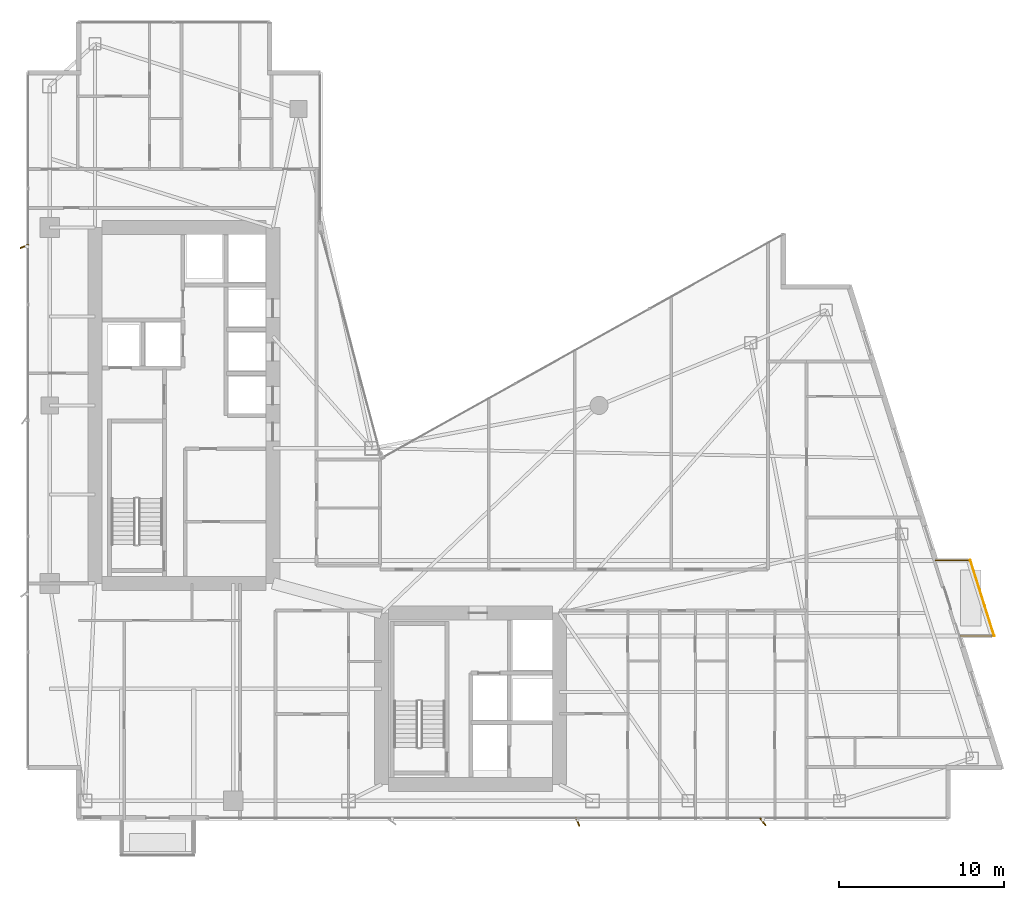
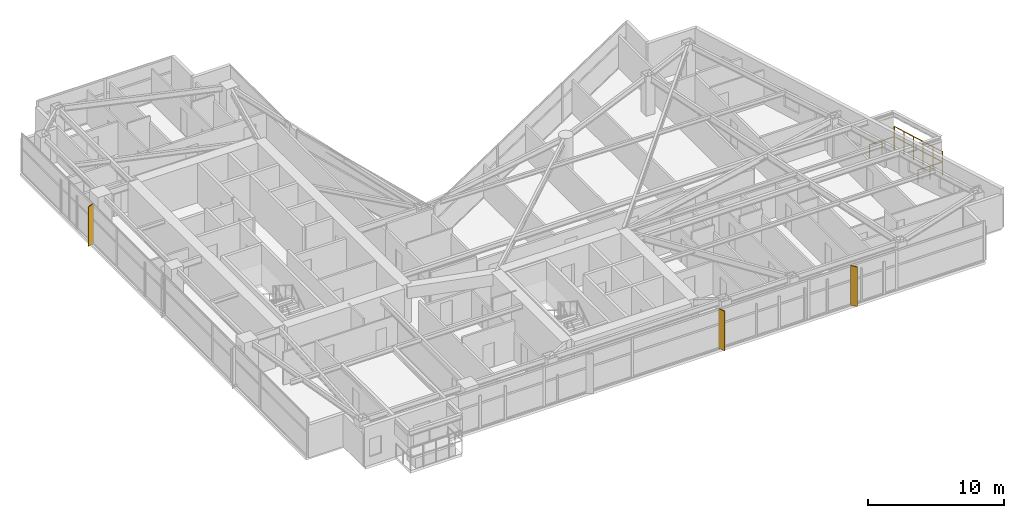
# One storey, part 29 of 29: 3 shading devices, 2 railings.
"""IFC4 building model written with IfcOpenShell, lengths in metres."""

from ifc_helpers import new_model, si_unit, direction, frame, origin, origin_2d, place, context, subcontext, project, spatial, rectangle, circle, extrude, material, type_object, element, save


model = new_model("IFC4")

# Units and contexts
model_context = context("Model", 3, precision=1e-05, world=origin(), true_north=direction((0.0, 1.0)))
body_context = subcontext(model_context, "Body", "Model", "MODEL_VIEW")
ifc_project = project(units=[si_unit("LENGTHUNIT", "METRE"), si_unit("AREAUNIT", "SQUARE_METRE"), si_unit("VOLUMEUNIT", "CUBIC_METRE"), si_unit("PLANEANGLEUNIT", "RADIAN"), si_unit("MASSUNIT", "GRAM", prefix="KILO")], contexts=[model_context])

# Site, building, storey
site_placement = place(None, origin())
site = spatial("IfcSite", under=ifc_project, at=site_placement, CompositionType="ELEMENT")
building_placement = place(site_placement, origin())
building = spatial("IfcBuilding", under=site, at=building_placement, Name="Calvorn Quay Hotel", CompositionType="ELEMENT")
storey_placement = place(building_placement, frame((0.0, 0.0, 175.10009765625)))
storey = spatial("IfcBuildingStorey", under=building, at=storey_placement, Name="L43", CompositionType="ELEMENT", Elevation=175.10009765625)

# Railings
ifc_material_1 = material(Name="Pale Anodised Aluminium and Laminated Glass", Category="aluminium")
railing_type = type_object("IfcRailingType", Name="RLG-BALUSTRADE-1200", PredefinedType="BALUSTRADE", material=ifc_material_1)
railing_1_placement = place(storey_placement, frame((56.68896484375, 13.60009765625, 0.0)))
element("IfcRailing", 1, at=railing_1_placement, inside=storey, type_object=railing_type, Name="Tree Balcony Perimeter Balustrade L43-BALC-E", PredefinedType="BALUSTRADE", context=body_context, shape_type="SweptSolid", body=[
    extrude(circle(Radius=0.02392578125, at=origin_2d()), frame((0.0, 0.0, 1.17578125), z_axis=(1.0, 0.0, 0.0), x_axis=(0.0, 1.0, 0.0)), (0.0, 0.0, 1.0), 2.10009765625),
    extrude(circle(Radius=0.02392578125, at=origin_2d()), frame((2.10009765625, 0.0, 1.17578125), z_axis=(-0.300450487966, 0.953797412599, 0.0), x_axis=(-0.953797412599, -0.300450487966, 0.0)), (0.0, 0.0, 1.0), 4.82275390625),
    extrude(circle(Radius=0.02392578125, at=origin_2d()), frame((0.651123046875, 4.599853515625, 1.17578125), z_axis=(-1.0, 0.0, 0.0), x_axis=(0.0, -1.0, 0.0)), (0.0, 0.0, 1.0), 2.10009765625),
    extrude(circle(Radius=0.02099609375, at=origin_2d()), origin(), (0.0, 0.0, 1.0), 1.15185546875),
    extrude(circle(Radius=0.02099609375, at=origin_2d()), frame((1.050048828125, 0.0, 0.0)), (0.0, 0.0, 1.0), 1.15185546875),
    extrude(circle(Radius=0.02099609375, at=origin_2d()), frame((2.10009765625, 0.0, 0.0)), (0.0, 0.0, 1.0), 1.15185546875),
    extrude(circle(Radius=0.02099609375, at=origin_2d()), frame((1.810302734375, 0.919921875, 0.0)), (0.0, 0.0, 1.0), 1.15185546875),
    extrude(circle(Radius=0.02099609375, at=origin_2d()), frame((1.5205078125, 1.83984375, 0.0)), (0.0, 0.0, 1.0), 1.15185546875),
    extrude(circle(Radius=0.02099609375, at=origin_2d()), frame((1.230712890625, 2.760009765625, 0.0)), (0.0, 0.0, 1.0), 1.15185546875),
    extrude(circle(Radius=0.02099609375, at=origin_2d()), frame((0.94091796875, 3.679931640625, 0.0)), (0.0, 0.0, 1.0), 1.15185546875),
    extrude(circle(Radius=0.02099609375, at=origin_2d()), frame((0.651123046875, 4.599853515625, 0.0)), (0.0, 0.0, 1.0), 1.15185546875),
    extrude(circle(Radius=0.02099609375, at=origin_2d()), frame((-0.39892578125, 4.599853515625, 0.0)), (0.0, 0.0, 1.0), 1.15185546875),
    extrude(circle(Radius=0.02099609375, at=origin_2d()), frame((-1.448974609375, 4.599853515625, 0.0)), (0.0, 0.0, 1.0), 1.15185546875),
])
railing_2_placement = place(storey_placement, frame((58.7890625, 13.60009765625, 0.89990234375)))
element("IfcRailing", 2, at=railing_2_placement, inside=storey, type_object=railing_type, Name="Planter Kerb High Safety Screen L43-BALC-E", PredefinedType="BALUSTRADE", context=body_context, shape_type="SweptSolid", body=[
    extrude(circle(Radius=0.02392578125, at=origin_2d()), frame((0.0, 0.0, 1.19580078125), z_axis=(-0.300450487966, 0.953797412599, 0.0), x_axis=(-0.953797412599, -0.300450487966, 0.0)), (0.0, 0.0, 1.0), 4.82275390625),
    extrude(circle(Radius=0.02099609375, at=origin_2d()), origin(), (0.0, 0.0, 1.0), 1.171875),
    extrude(circle(Radius=0.02099609375, at=origin_2d()), frame((-0.289794921875, 0.919921875, 0.0)), (0.0, 0.0, 1.0), 1.171875),
    extrude(circle(Radius=0.02099609375, at=origin_2d()), frame((-0.57958984375, 1.83984375, 0.0)), (0.0, 0.0, 1.0), 1.171875),
    extrude(circle(Radius=0.02099609375, at=origin_2d()), frame((-0.869384765625, 2.760009765625, 0.0)), (0.0, 0.0, 1.0), 1.171875),
    extrude(circle(Radius=0.02099609375, at=origin_2d()), frame((-1.1591796875, 3.679931640625, 0.0)), (0.0, 0.0, 1.0), 1.171875),
    extrude(circle(Radius=0.02099609375, at=origin_2d()), frame((-1.448974609375, 4.599853515625, 0.0)), (0.0, 0.0, 1.0), 1.171875),
])

# Shading devices
ifc_material_2 = material(Name="Champagne Bronze Anodised Aluminium 6063-T6", Category="aluminium")
shading_device_type_1 = type_object("IfcShadingDeviceType", Name="SHD-FIN-A1", PredefinedType="USERDEFINED", material=ifc_material_2)
for number, where, z_axis, x_axis, name in (
    (3, (-0.080078125, 37.25, -0.000244140625), (0.0, 0.0, 1.0), (0.927183854567, 0.374606593416, 0.0), "Diagonal Sun-Shading Fin L43-W03"),
    (4, (33.5, 2.320068359375, -0.000244140625), (0.0, 0.0, 1.0), (-0.374606593416, 0.927183854567, 0.0), "Diagonal Sun-Shading Fin L43-S02"),
):
    element("IfcShadingDevice", number, at=place(storey_placement, frame(where, z_axis=z_axis, x_axis=x_axis)), inside=storey, type_object=shading_device_type_1, Name=name, ObjectType="FIN", PredefinedType="USERDEFINED", context=body_context, shape_type="SweptSolid", body=[
        extrude(rectangle(XDim=0.550048828125, YDim=0.080078125, at=origin_2d()), origin(), (0.0, 0.0, 1.0), 3.56005859375),
    ])
ifc_material_3 = material(Name="Champagne Bronze Anodised Aluminium 6063-T6", Category="aluminium")
shading_device_type_2 = type_object("IfcShadingDeviceType", Name="SHD-FIN-A2", PredefinedType="USERDEFINED", material=ifc_material_3)
shading_device_placement = place(storey_placement, frame((44.75, 2.320068359375, -0.000244140625), z_axis=(0.0, 0.0, 1.0), x_axis=(-0.615661475326, 0.788010753607, 0.0)))
element("IfcShadingDevice", 5, at=shading_device_placement, inside=storey, type_object=shading_device_type_2, Name="Diagonal Sun-Shading Fin L43-S03", ObjectType="FIN", PredefinedType="USERDEFINED", context=body_context, shape_type="SweptSolid", body=[
    extrude(rectangle(XDim=0.550048828125, YDim=0.080078125, at=origin_2d()), origin(), (0.0, 0.0, 1.0), 3.56005859375),
])

save(model, "model.ifc")
